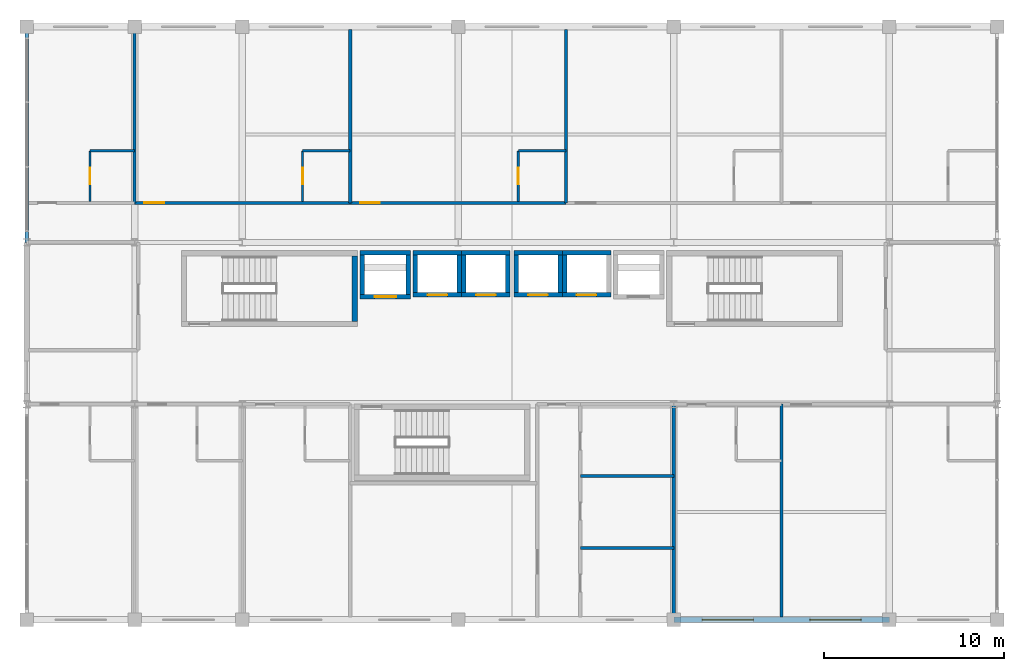
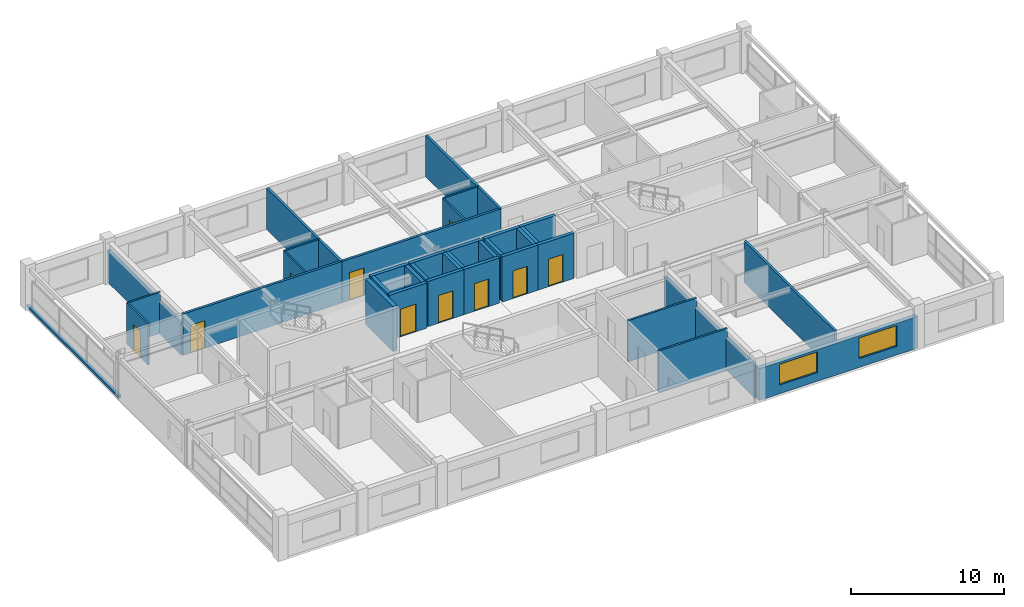
# One storey, part 17 of 20: 37 walls, 10 doors, 2 windows, 12 openings.
"""IFC4 building model written with IfcOpenShell, lengths in metres."""

from ifc_helpers import new_model, si_unit, direction, frame, frame_2d, origin, place, context, subcontext, project, spatial, rectangle, extrude, material, layer, layer_set, type_object, element, fill, save


model = new_model("IFC4")

# Units and contexts
model_context = context("Model", 3, precision=1e-05, world=origin(), true_north=direction((0.0, 1.0)))
body_context = subcontext(model_context, "Body", "Model", "MODEL_VIEW")
ifc_project = project(units=[si_unit("LENGTHUNIT", "METRE"), si_unit("AREAUNIT", "SQUARE_METRE"), si_unit("VOLUMEUNIT", "CUBIC_METRE"), si_unit("PLANEANGLEUNIT", "RADIAN"), si_unit("MASSUNIT", "GRAM", prefix="KILO")], contexts=[model_context])

# Site, building, storey
site_placement = place(None, origin())
site = spatial("IfcSite", under=ifc_project, at=site_placement, CompositionType="ELEMENT")
building_placement = place(site_placement, origin())
building = spatial("IfcBuilding", under=site, at=building_placement, Name="Kaldorvane Square Convention Centre", CompositionType="ELEMENT")
storey_placement = place(building_placement, frame((0.0, 0.0, 52.80000305175781)))
storey = spatial("IfcBuildingStorey", under=building, at=storey_placement, Name="L12", CompositionType="ELEMENT", Elevation=52.80000305175781)

# Wall, opening, door
ifc_material_1 = material(Name="Fire-Rated Gypsum Board on Acoustic Steel Studs", Category="steel")
ifc_layer_1 = layer(ifc_material_1, 0.125)
ifc_layer_set_1 = layer_set([ifc_layer_1], Name="Fire-Rated Gypsum Board on Acoustic Steel Studs")
wall_type_1 = type_object("IfcWallType", Name="WL-BATH-125", PredefinedType="PARTITIONING", material=ifc_layer_set_1)
wall_1_placement = place(storey_placement, frame((33.52000427246094, 107.28999328613281, 0.0), z_axis=(0.0, 0.0, 1.0), x_axis=(0.0, 1.0, 0.0)))
wall_1 = element("IfcWall", 1, at=wall_1_placement, inside=storey, type_object=wall_type_1, Name="En-Suite 1201 West Wall", PredefinedType="PARTITIONING", context=body_context, shape_type="SweptSolid", body=[
    extrude(rectangle(XDim=2.8100128173828125, YDim=0.125, at=frame_2d((1.404998779296875, 0.0))), origin(), (0.0, 0.0, 1.0), 3.2899932861328125),
])
opening_1_placement = place(wall_1_placement, frame((0.9499969482421875, 0.0, 0.0)))
opening_1 = element("IfcOpeningElement", 2, at=opening_1_placement, cuts=wall_1, Name="Opening ID-12", PredefinedType="OPENING", context=body_context, shape_type="SweptSolid", body=[
    extrude(rectangle(XDim=0.9199981689453125, YDim=2.100006103515625, at=frame_2d((0.459991455078125, 1.0500030517578125))), frame((0.0, 0.0774993896484375, 0.0), z_axis=(0.0, -1.0, 0.0), x_axis=(1.0, 0.0, 0.0)), (0.0, 0.0, 1.0), 0.154998779296875),
])
ifc_material_2 = material(Name="Architectural Solid-Core White Oak")
door_type_1 = type_object("IfcDoorType", Name="DR-BATH-0920X2100", OperationType="SINGLE_SWING_RIGHT", PredefinedType="DOOR", material=ifc_material_2)
door_1_placement = place(opening_1_placement, origin())
door_1 = element("IfcDoor", 3, at=door_1_placement, inside=storey, type_object=door_type_1, Name="En-Suite Bathroom 1201 Door", OperationType="SINGLE_SWING_RIGHT", OverallHeight=2.100006103515625, OverallWidth=0.9199981689453125, PredefinedType="DOOR", context=body_context, shape_type="SweptSolid", body=[
    extrude(rectangle(XDim=0.9199981689453125, YDim=2.100006103515625, at=frame_2d((0.459991455078125, 1.0500030517578125))), frame((0.0, 0.024993896484375, 0.0), z_axis=(0.0, -1.0, 0.0), x_axis=(1.0, 0.0, 0.0)), (0.0, 0.0, 1.0), 0.0500030517578125),
])
fill(opening_1, door_1)

# Wall
wall_2_placement = place(storey_placement, frame((33.52000427246094, 110.10000610351562, 0.0), z_axis=(0.0, 0.0, 1.0), x_axis=(1.0, 0.0, 0.0)))
element("IfcWall", 4, at=wall_2_placement, inside=storey, type_object=wall_type_1, Name="En-Suite 1201 North Wall", PredefinedType="PARTITIONING", context=body_context, shape_type="SweptSolid", body=[
    extrude(rectangle(XDim=2.4799957275390625, YDim=0.125, at=frame_2d((1.239990234375, 0.0))), origin(), (0.0, 0.0, 1.0), 3.2899932861328125),
])

# Wall, opening, door
wall_3_placement = place(storey_placement, frame((45.350006103515625, 107.28999328613281, 0.0), z_axis=(0.0, 0.0, 1.0), x_axis=(0.0, 1.0, 0.0)))
wall_3 = element("IfcWall", 5, at=wall_3_placement, inside=storey, type_object=wall_type_1, Name="En-Suite 1202 West Wall", PredefinedType="PARTITIONING", context=body_context, shape_type="SweptSolid", body=[
    extrude(rectangle(XDim=2.8100128173828125, YDim=0.125, at=frame_2d((1.404998779296875, 0.0))), origin(), (0.0, 0.0, 1.0), 3.2899932861328125),
])
opening_2_placement = place(wall_3_placement, frame((0.9499969482421875, 0.0, 0.0)))
opening_2 = element("IfcOpeningElement", 6, at=opening_2_placement, cuts=wall_3, Name="Opening ID-12", PredefinedType="OPENING", context=body_context, shape_type="SweptSolid", body=[
    extrude(rectangle(XDim=0.9199981689453125, YDim=2.100006103515625, at=frame_2d((0.459991455078125, 1.0500030517578125))), frame((0.0, 0.0774993896484375, 0.0), z_axis=(0.0, -1.0, 0.0), x_axis=(1.0, 0.0, 0.0)), (0.0, 0.0, 1.0), 0.154998779296875),
])
door_2_placement = place(opening_2_placement, origin())
door_2 = element("IfcDoor", 7, at=door_2_placement, inside=storey, type_object=door_type_1, Name="En-Suite Bathroom 1202 Door", OperationType="SINGLE_SWING_RIGHT", OverallHeight=2.100006103515625, OverallWidth=0.9199981689453125, PredefinedType="DOOR", context=body_context, shape_type="SweptSolid", body=[
    extrude(rectangle(XDim=0.9199981689453125, YDim=2.100006103515625, at=frame_2d((0.459991455078125, 1.0500030517578125))), frame((0.0, 0.024993896484375, 0.0), z_axis=(0.0, -1.0, 0.0), x_axis=(1.0, 0.0, 0.0)), (0.0, 0.0, 1.0), 0.0500030517578125),
])
fill(opening_2, door_2)

# Wall
wall_4_placement = place(storey_placement, frame((45.350006103515625, 110.10000610351562, 0.0), z_axis=(0.0, 0.0, 1.0), x_axis=(1.0, 0.0, 0.0)))
element("IfcWall", 8, at=wall_4_placement, inside=storey, type_object=wall_type_1, Name="En-Suite 1202 North Wall", PredefinedType="PARTITIONING", context=body_context, shape_type="SweptSolid", body=[
    extrude(rectangle(XDim=2.649993896484375, YDim=0.125, at=frame_2d((1.3249969482421875, 0.0))), origin(), (0.0, 0.0, 1.0), 3.2899932861328125),
])

# Wall, opening, door
wall_5_placement = place(storey_placement, frame((57.350006103515625, 107.28999328613281, 0.0), z_axis=(0.0, 0.0, 1.0), x_axis=(0.0, 1.0, 0.0)))
wall_5 = element("IfcWall", 9, at=wall_5_placement, inside=storey, type_object=wall_type_1, Name="En-Suite 1203 West Wall", PredefinedType="PARTITIONING", context=body_context, shape_type="SweptSolid", body=[
    extrude(rectangle(XDim=2.8100128173828125, YDim=0.125, at=frame_2d((1.404998779296875, 0.0))), origin(), (0.0, 0.0, 1.0), 3.2899932861328125),
])
opening_3_placement = place(wall_5_placement, frame((0.9499969482421875, 0.0, 0.0)))
opening_3 = element("IfcOpeningElement", 10, at=opening_3_placement, cuts=wall_5, Name="Opening ID-12", PredefinedType="OPENING", context=body_context, shape_type="SweptSolid", body=[
    extrude(rectangle(XDim=0.9199981689453125, YDim=2.100006103515625, at=frame_2d((0.459991455078125, 1.0500030517578125))), frame((0.0, 0.0774993896484375, 0.0), z_axis=(0.0, -1.0, 0.0), x_axis=(1.0, 0.0, 0.0)), (0.0, 0.0, 1.0), 0.154998779296875),
])
door_3_placement = place(opening_3_placement, origin())
door_3 = element("IfcDoor", 11, at=door_3_placement, inside=storey, type_object=door_type_1, Name="En-Suite Bathroom 1203 Door", OperationType="SINGLE_SWING_RIGHT", OverallHeight=2.100006103515625, OverallWidth=0.9199981689453125, PredefinedType="DOOR", context=body_context, shape_type="SweptSolid", body=[
    extrude(rectangle(XDim=0.9199981689453125, YDim=2.100006103515625, at=frame_2d((0.459991455078125, 1.0500030517578125))), frame((0.0, 0.024993896484375, 0.0), z_axis=(0.0, -1.0, 0.0), x_axis=(1.0, 0.0, 0.0)), (0.0, 0.0, 1.0), 0.0500030517578125),
])
fill(opening_3, door_3)

# Walls
wall_6_placement = place(storey_placement, frame((57.350006103515625, 110.10000610351562, 0.0), z_axis=(0.0, 0.0, 1.0), x_axis=(1.0, 0.0, 0.0)))
element("IfcWall", 12, at=wall_6_placement, inside=storey, type_object=wall_type_1, Name="En-Suite 1203 North Wall", PredefinedType="PARTITIONING", context=body_context, shape_type="SweptSolid", body=[
    extrude(rectangle(XDim=2.649993896484375, YDim=0.125, at=frame_2d((1.3249969482421875, 0.0))), origin(), (0.0, 0.0, 1.0), 3.2899932861328125),
])
ifc_layer_2 = layer(ifc_material_1, 0.1999969482421875)
ifc_layer_set_2 = layer_set([ifc_layer_2], Name="Fire-Rated Gypsum Board on Acoustic Steel Studs")
wall_type_2 = type_object("IfcWallType", Name="WL-CORR-200", PredefinedType="PARTITIONING", material=ifc_layer_set_2)
wall_7_placement = place(storey_placement, frame((66.0, 84.16000366210938, 0.0), z_axis=(0.0, 0.0, 1.0), x_axis=(0.0, 1.0, 0.0)))
element("IfcWall", 13, at=wall_7_placement, inside=storey, type_object=wall_type_2, Name="Restroom East Wall (L12)", PredefinedType="PARTITIONING", context=body_context, shape_type="SweptSolid", body=[
    extrude(rectangle(XDim=11.839996337890625, YDim=0.1999969482421875, at=frame_2d((5.9199981689453125, 0.0))), origin(), (0.0, 0.0, 1.0), 2.589996337890625),
])

# Wall, openings, windows
ifc_material_3 = material(Name="Concrete f'c = 35 MPa (Normalweight)", Category="concrete")
ifc_layer_3 = layer(ifc_material_3, 0.32000732421875)
ifc_layer_set_3 = layer_set([ifc_layer_3], Name="Concrete f'c = 35 MPa (Normalweight)")
wall_type_3 = type_object("IfcWallType", Name="WL-EXT-320", PredefinedType="STANDARD", material=ifc_layer_set_3)
wall_8_placement = place(storey_placement, frame((66.0, 84.0, 0.0), z_axis=(0.0, 0.0, 1.0), x_axis=(1.0, 0.0, 0.0)))
wall_8 = element("IfcWall", 14, at=wall_8_placement, inside=storey, type_object=wall_type_3, Name="Hotel S Brutalist Facade Wall (L12)", PredefinedType="STANDARD", context=body_context, shape_type="SweptSolid", body=[
    extrude(rectangle(XDim=12.0, YDim=0.32000732421875, at=frame_2d((6.0, 0.0))), origin(), (0.0, 0.0, 1.0), 2.5359954833984375),
])
opening_4_placement = place(wall_8_placement, frame((1.5749969482421875, 0.0, 0.6999969482421875)))
opening_4 = element("IfcOpeningElement", 15, at=opening_4_placement, cuts=wall_8, Name="Opening W-04", PredefinedType="OPENING", context=body_context, shape_type="SweptSolid", body=[
    extrude(rectangle(XDim=2.850006103515625, YDim=1.649993896484375, at=frame_2d((1.4250030517578125, 0.8249969482421875))), frame((0.0, 0.1750030517578125, 0.0), z_axis=(0.0, -1.0, 0.0), x_axis=(1.0, 0.0, 0.0)), (0.0, 0.0, 1.0), 0.350006103515625),
])
opening_5_placement = place(wall_8_placement, frame((7.5749969482421875, 0.0, 0.6999969482421875)))
opening_5 = element("IfcOpeningElement", 16, at=opening_5_placement, cuts=wall_8, Name="Opening W-04", PredefinedType="OPENING", context=body_context, shape_type="SweptSolid", body=[
    extrude(rectangle(XDim=2.850006103515625, YDim=1.649993896484375, at=frame_2d((1.4250030517578125, 0.8249969482421875))), frame((0.0, 0.1750030517578125, 0.0), z_axis=(0.0, -1.0, 0.0), x_axis=(1.0, 0.0, 0.0)), (0.0, 0.0, 1.0), 0.350006103515625),
])
ifc_material_4 = material(Name="Anodized Aluminum and Low-E Insulated Glazing", Category="aluminium")
window_type = type_object("IfcWindowType", Name="WN-HTL-2850X1650", PartitioningType="TRIPLE_PANEL_VERTICAL", PredefinedType="WINDOW", material=ifc_material_4)
window_1_placement = place(opening_4_placement, origin())
window_1 = element("IfcWindow", 17, at=window_1_placement, inside=storey, type_object=window_type, Name="Hotel S Window (L12)", OverallHeight=1.649993896484375, OverallWidth=2.850006103515625, PartitioningType="TRIPLE_PANEL_VERTICAL", PredefinedType="WINDOW", context=body_context, shape_type="SweptSolid", body=[
    extrude(rectangle(XDim=2.850006103515625, YDim=1.649993896484375, at=frame_2d((1.4250030517578125, 0.8249969482421875))), frame((0.0, 0.029998779296875, 0.0), z_axis=(0.0, -1.0, 0.0), x_axis=(1.0, 0.0, 0.0)), (0.0, 0.0, 1.0), 0.05999755859375),
])
fill(opening_4, window_1)
window_2_placement = place(opening_5_placement, origin())
window_2 = element("IfcWindow", 18, at=window_2_placement, inside=storey, type_object=window_type, Name="Hotel S Window (L12)", OverallHeight=1.649993896484375, OverallWidth=2.850006103515625, PartitioningType="TRIPLE_PANEL_VERTICAL", PredefinedType="WINDOW", context=body_context, shape_type="SweptSolid", body=[
    extrude(rectangle(XDim=2.850006103515625, YDim=1.649993896484375, at=frame_2d((1.4250030517578125, 0.8249969482421875))), frame((0.0, 0.029998779296875, 0.0), z_axis=(0.0, -1.0, 0.0), x_axis=(1.0, 0.0, 0.0)), (0.0, 0.0, 1.0), 0.05999755859375),
])
fill(opening_5, window_2)

# Walls
ifc_layer_4 = layer(ifc_material_3, 0.220001220703125)
ifc_layer_set_4 = layer_set([ifc_layer_4], Name="Concrete f'c = 35 MPa (Normalweight)")
wall_type_4 = type_object("IfcWallType", Name="WL-PAR-220", PredefinedType="PARAPET", material=ifc_layer_set_4)
wall_9_placement = place(storey_placement, frame((30.0, 117.0, 0.0), z_axis=(0.0, 0.0, 1.0), x_axis=(0.0, -1.0, 0.0)))
element("IfcWall", 19, at=wall_9_placement, inside=storey, type_object=wall_type_4, Name="Hotel End Curtain-Wall Sill (L12)", PredefinedType="PARAPET", context=body_context, shape_type="SweptSolid", body=[
    extrude(rectangle(XDim=12.0, YDim=0.220001220703125, at=frame_2d((6.0, 0.0))), origin(), (0.0, 0.0, 1.0), 0.1999969482421875),
])
ifc_layer_5 = layer(ifc_material_1, 0.149993896484375)
ifc_layer_set_5 = layer_set([ifc_layer_5], Name="Fire-Rated Gypsum Board on Acoustic Steel Studs")
wall_type_5 = type_object("IfcWallType", Name="WL-PART-150", PredefinedType="PARTITIONING", material=ifc_layer_set_5)
for number, where, z_axis, x_axis, name in (
    (20, (60.80000305175781, 88.0, 0.0), (0.0, 0.0, 1.0), (1.0, 0.0, 0.0), "Restroom Partition 1 (L12)"),
    (21, (60.80000305175781, 92.0, 0.0), (0.0, 0.0, 1.0), (1.0, 0.0, 0.0), "Restroom Partition 2 (L12)"),
):
    element("IfcWall", number, at=place(storey_placement, frame(where, z_axis=z_axis, x_axis=x_axis)), inside=storey, type_object=wall_type_5, Name=name, PredefinedType="PARTITIONING", context=body_context, shape_type="SweptSolid", body=[
        extrude(rectangle(XDim=5.1999969482421875, YDim=0.149993896484375, at=frame_2d((2.600006103515625, 0.0))), origin(), (0.0, 0.0, 1.0), 3.2899932861328125),
    ])
ifc_material_5 = material(Name="Concrete f'c = 55 MPa (Normalweight)", Category="concrete")
ifc_layer_6 = layer(ifc_material_5, 0.3000030517578125)
ifc_layer_set_6 = layer_set([ifc_layer_6], Name="Concrete f'c = 55 MPa (Normalweight)")
wall_type_6 = type_object("IfcWallType", Name="WL-SHAFT-300", PredefinedType="SHEAR", material=ifc_layer_set_6)
wall_10_placement = place(storey_placement, frame((48.25, 100.61000061035156, 0.0), z_axis=(0.0, 0.0, 1.0), x_axis=(0.0, 1.0, 0.0)))
element("IfcWall", 22, at=wall_10_placement, inside=storey, type_object=wall_type_6, Name="Core Enclosure Wall stair:ST-T1-E (L12)", PredefinedType="SHEAR", context=body_context, shape_type="SweptSolid", body=[
    extrude(rectangle(XDim=3.6399993896484375, YDim=0.3000030517578125, at=frame_2d((1.82000732421875, 0.0))), origin(), (0.0, 0.0, 1.0), 3.5999908447265625),
])

# Wall, opening, door
wall_11_placement = place(storey_placement, frame((48.55000305175781, 101.97500610351562, 0.0), z_axis=(0.0, 0.0, 1.0), x_axis=(1.0, 0.0, 0.0)))
wall_11 = element("IfcWall", 23, at=wall_11_placement, inside=storey, type_object=wall_type_6, Name="Core Enclosure Wall lift:FSAE-01-S (L12)", PredefinedType="SHEAR", context=body_context, shape_type="SweptSolid", body=[
    extrude(rectangle(XDim=2.8000030517578125, YDim=0.25, at=frame_2d((1.399993896484375, 0.0))), origin(), (0.0, 0.0, 1.0), 3.5999908447265625),
])
opening_6_placement = place(wall_11_placement, frame((0.8000030517578125, 0.0, 0.0)))
opening_6 = element("IfcOpeningElement", 24, at=opening_6_placement, cuts=wall_11, Name="Opening LD-02", PredefinedType="OPENING", context=body_context, shape_type="SweptSolid", body=[
    extrude(rectangle(XDim=1.1999969482421875, YDim=2.1999969482421875, at=frame_2d((0.600006103515625, 1.100006103515625))), frame((0.0, 0.1399993896484375, 0.0), z_axis=(0.0, -1.0, 0.0), x_axis=(1.0, 0.0, 0.0)), (0.0, 0.0, 1.0), 0.279998779296875),
])
ifc_material_6 = material(Name="Stainless Steel Elevator Door Assembly", Category="steel")
door_type_2 = type_object("IfcDoorType", Name="DR-LIFT-1200", OperationType="DOUBLE_DOOR_SLIDING", PredefinedType="DOOR", material=ifc_material_6)
door_4_placement = place(opening_6_placement, origin())
door_4 = element("IfcDoor", 25, at=door_4_placement, inside=storey, type_object=door_type_2, Name="Elevator Landing Door FSAE-01 (L12)", OperationType="DOUBLE_DOOR_SLIDING", OverallHeight=2.1999969482421875, OverallWidth=1.1999969482421875, PredefinedType="DOOR", context=body_context, shape_type="SweptSolid", body=[
    extrude(rectangle(XDim=1.1999969482421875, YDim=2.1999969482421875, at=frame_2d((0.600006103515625, 1.100006103515625))), frame((0.0, 0.024993896484375, 0.0), z_axis=(0.0, -1.0, 0.0), x_axis=(1.0, 0.0, 0.0)), (0.0, 0.0, 1.0), 0.0500030517578125),
])
fill(opening_6, door_4)

# Walls
wall_12_placement = place(storey_placement, frame((51.350006103515625, 104.42500305175781, 0.0), z_axis=(0.0, 0.0, 1.0), x_axis=(-1.0, 0.0, 0.0)))
element("IfcWall", 26, at=wall_12_placement, inside=storey, type_object=wall_type_6, Name="Core Enclosure Wall lift:FSAE-01-N (L12)", PredefinedType="SHEAR", context=body_context, shape_type="SweptSolid", body=[
    extrude(rectangle(XDim=2.8000030517578125, YDim=0.25, at=frame_2d((1.399993896484375, 0.0))), origin(), (0.0, 0.0, 1.0), 3.5999908447265625),
])
for number, where, z_axis, x_axis, name in (
    (27, (48.67500305175781, 104.30000305175781, 0.0), (0.0, 0.0, 1.0), (0.0, -1.0, 0.0), "Core Enclosure Wall lift:FSAE-01-W (L12)"),
    (28, (51.225006103515625, 102.10000610351562, 0.0), (0.0, 0.0, 1.0), (0.0, 1.0, 0.0), "Core Enclosure Wall lift:FSAE-01-E (L12)"),
):
    element("IfcWall", number, at=place(storey_placement, frame(where, z_axis=z_axis, x_axis=x_axis)), inside=storey, type_object=wall_type_6, Name=name, PredefinedType="SHEAR", context=body_context, shape_type="SweptSolid", body=[
        extrude(rectangle(XDim=2.1999969482421875, YDim=0.25, at=frame_2d((1.100006103515625, 0.0))), origin(), (0.0, 0.0, 1.0), 3.5999908447265625),
    ])

# Wall, opening, door
wall_13_placement = place(storey_placement, frame((51.5, 102.07499694824219, 0.0), z_axis=(0.0, 0.0, 1.0), x_axis=(1.0, 0.0, 0.0)))
wall_13 = element("IfcWall", 29, at=wall_13_placement, inside=storey, type_object=wall_type_6, Name="Core Enclosure Wall lift:EL-P1-S (L12)", PredefinedType="SHEAR", context=body_context, shape_type="SweptSolid", body=[
    extrude(rectangle(XDim=2.6999969482421875, YDim=0.25, at=frame_2d((1.350006103515625, 0.0))), origin(), (0.0, 0.0, 1.0), 3.5999908447265625),
])
opening_7_placement = place(wall_13_placement, frame((0.8000030517578125, 0.0, 0.0)))
opening_7 = element("IfcOpeningElement", 30, at=opening_7_placement, cuts=wall_13, Name="Opening LD-01", PredefinedType="OPENING", context=body_context, shape_type="SweptSolid", body=[
    extrude(rectangle(XDim=1.100006103515625, YDim=2.1999969482421875, at=frame_2d((0.5500030517578125, 1.100006103515625))), frame((0.0, 0.1399993896484375, 0.0), z_axis=(0.0, -1.0, 0.0), x_axis=(1.0, 0.0, 0.0)), (0.0, 0.0, 1.0), 0.279998779296875),
])
door_type_3 = type_object("IfcDoorType", Name="DR-LIFT-1100", OperationType="DOUBLE_DOOR_SLIDING", PredefinedType="DOOR", material=ifc_material_6)
door_5_placement = place(opening_7_placement, origin())
door_5 = element("IfcDoor", 31, at=door_5_placement, inside=storey, type_object=door_type_3, Name="Elevator Landing Door EL-P1 (L12)", OperationType="DOUBLE_DOOR_SLIDING", OverallHeight=2.1999969482421875, OverallWidth=1.100006103515625, PredefinedType="DOOR", context=body_context, shape_type="SweptSolid", body=[
    extrude(rectangle(XDim=1.100006103515625, YDim=2.1999969482421875, at=frame_2d((0.5500030517578125, 1.100006103515625))), frame((0.0, 0.024993896484375, 0.0), z_axis=(0.0, -1.0, 0.0), x_axis=(1.0, 0.0, 0.0)), (0.0, 0.0, 1.0), 0.0500030517578125),
])
fill(opening_7, door_5)

# Walls
wall_14_placement = place(storey_placement, frame((54.19999694824219, 104.42500305175781, 0.0), z_axis=(0.0, 0.0, 1.0), x_axis=(-1.0, 0.0, 0.0)))
element("IfcWall", 32, at=wall_14_placement, inside=storey, type_object=wall_type_6, Name="Core Enclosure Wall lift:EL-P1-N (L12)", PredefinedType="SHEAR", context=body_context, shape_type="SweptSolid", body=[
    extrude(rectangle(XDim=2.6999969482421875, YDim=0.25, at=frame_2d((1.350006103515625, 0.0))), origin(), (0.0, 0.0, 1.0), 3.5999908447265625),
])
for number, where, z_axis, x_axis, name in (
    (33, (51.625, 104.30000305175781, 0.0), (0.0, 0.0, 1.0), (0.0, -1.0, 0.0), "Core Enclosure Wall lift:EL-P1-W (L12)"),
    (34, (54.07499694824219, 102.19999694824219, 0.0), (0.0, 0.0, 1.0), (0.0, 1.0, 0.0), "Core Enclosure Wall lift:EL-P1-E (L12)"),
):
    element("IfcWall", number, at=place(storey_placement, frame(where, z_axis=z_axis, x_axis=x_axis)), inside=storey, type_object=wall_type_6, Name=name, PredefinedType="SHEAR", context=body_context, shape_type="SweptSolid", body=[
        extrude(rectangle(XDim=2.100006103515625, YDim=0.25, at=frame_2d((1.0500030517578125, 0.0))), origin(), (0.0, 0.0, 1.0), 3.5999908447265625),
    ])

# Wall, opening, door
wall_15_placement = place(storey_placement, frame((54.19999694824219, 102.07499694824219, 0.0), z_axis=(0.0, 0.0, 1.0), x_axis=(1.0, 0.0, 0.0)))
wall_15 = element("IfcWall", 35, at=wall_15_placement, inside=storey, type_object=wall_type_6, Name="Core Enclosure Wall lift:EL-P2-S (L12)", PredefinedType="SHEAR", context=body_context, shape_type="SweptSolid", body=[
    extrude(rectangle(XDim=2.6999969482421875, YDim=0.25, at=frame_2d((1.350006103515625, 0.0))), origin(), (0.0, 0.0, 1.0), 3.5999908447265625),
])
opening_8_placement = place(wall_15_placement, frame((0.8000030517578125, 0.0, 0.0)))
opening_8 = element("IfcOpeningElement", 36, at=opening_8_placement, cuts=wall_15, Name="Opening LD-01", PredefinedType="OPENING", context=body_context, shape_type="SweptSolid", body=[
    extrude(rectangle(XDim=1.100006103515625, YDim=2.1999969482421875, at=frame_2d((0.5500030517578125, 1.100006103515625))), frame((0.0, 0.1399993896484375, 0.0), z_axis=(0.0, -1.0, 0.0), x_axis=(1.0, 0.0, 0.0)), (0.0, 0.0, 1.0), 0.279998779296875),
])
door_6_placement = place(opening_8_placement, origin())
door_6 = element("IfcDoor", 37, at=door_6_placement, inside=storey, type_object=door_type_3, Name="Elevator Landing Door EL-P2 (L12)", OperationType="DOUBLE_DOOR_SLIDING", OverallHeight=2.1999969482421875, OverallWidth=1.100006103515625, PredefinedType="DOOR", context=body_context, shape_type="SweptSolid", body=[
    extrude(rectangle(XDim=1.100006103515625, YDim=2.1999969482421875, at=frame_2d((0.5500030517578125, 1.100006103515625))), frame((0.0, 0.024993896484375, 0.0), z_axis=(0.0, -1.0, 0.0), x_axis=(1.0, 0.0, 0.0)), (0.0, 0.0, 1.0), 0.0500030517578125),
])
fill(opening_8, door_6)

# Walls
wall_16_placement = place(storey_placement, frame((56.899993896484375, 104.42500305175781, 0.0), z_axis=(0.0, 0.0, 1.0), x_axis=(-1.0, 0.0, 0.0)))
element("IfcWall", 38, at=wall_16_placement, inside=storey, type_object=wall_type_6, Name="Core Enclosure Wall lift:EL-P2-N (L12)", PredefinedType="SHEAR", context=body_context, shape_type="SweptSolid", body=[
    extrude(rectangle(XDim=2.6999969482421875, YDim=0.25, at=frame_2d((1.350006103515625, 0.0))), origin(), (0.0, 0.0, 1.0), 3.5999908447265625),
])
for number, where, z_axis, x_axis, name in (
    (39, (54.32499694824219, 104.30000305175781, 0.0), (0.0, 0.0, 1.0), (0.0, -1.0, 0.0), "Core Enclosure Wall lift:EL-P2-W (L12)"),
    (40, (56.774993896484375, 102.19999694824219, 0.0), (0.0, 0.0, 1.0), (0.0, 1.0, 0.0), "Core Enclosure Wall lift:EL-P2-E (L12)"),
):
    element("IfcWall", number, at=place(storey_placement, frame(where, z_axis=z_axis, x_axis=x_axis)), inside=storey, type_object=wall_type_6, Name=name, PredefinedType="SHEAR", context=body_context, shape_type="SweptSolid", body=[
        extrude(rectangle(XDim=2.100006103515625, YDim=0.25, at=frame_2d((1.0500030517578125, 0.0))), origin(), (0.0, 0.0, 1.0), 3.5999908447265625),
    ])

# Wall, opening, door
wall_17_placement = place(storey_placement, frame((57.100006103515625, 102.07499694824219, 0.0), z_axis=(0.0, 0.0, 1.0), x_axis=(1.0, 0.0, 0.0)))
wall_17 = element("IfcWall", 41, at=wall_17_placement, inside=storey, type_object=wall_type_6, Name="Core Enclosure Wall lift:EL-P3-S (L12)", PredefinedType="SHEAR", context=body_context, shape_type="SweptSolid", body=[
    extrude(rectangle(XDim=2.6999969482421875, YDim=0.25, at=frame_2d((1.350006103515625, 0.0))), origin(), (0.0, 0.0, 1.0), 3.5999908447265625),
])
opening_9_placement = place(wall_17_placement, frame((0.8000030517578125, 0.0, 0.0)))
opening_9 = element("IfcOpeningElement", 42, at=opening_9_placement, cuts=wall_17, Name="Opening LD-01", PredefinedType="OPENING", context=body_context, shape_type="SweptSolid", body=[
    extrude(rectangle(XDim=1.100006103515625, YDim=2.1999969482421875, at=frame_2d((0.5500030517578125, 1.100006103515625))), frame((0.0, 0.1399993896484375, 0.0), z_axis=(0.0, -1.0, 0.0), x_axis=(1.0, 0.0, 0.0)), (0.0, 0.0, 1.0), 0.279998779296875),
])
door_7_placement = place(opening_9_placement, origin())
door_7 = element("IfcDoor", 43, at=door_7_placement, inside=storey, type_object=door_type_3, Name="Elevator Landing Door EL-P3 (L12)", OperationType="DOUBLE_DOOR_SLIDING", OverallHeight=2.1999969482421875, OverallWidth=1.100006103515625, PredefinedType="DOOR", context=body_context, shape_type="SweptSolid", body=[
    extrude(rectangle(XDim=1.100006103515625, YDim=2.1999969482421875, at=frame_2d((0.5500030517578125, 1.100006103515625))), frame((0.0, 0.024993896484375, 0.0), z_axis=(0.0, -1.0, 0.0), x_axis=(1.0, 0.0, 0.0)), (0.0, 0.0, 1.0), 0.0500030517578125),
])
fill(opening_9, door_7)

# Walls
wall_18_placement = place(storey_placement, frame((59.80000305175781, 104.42500305175781, 0.0), z_axis=(0.0, 0.0, 1.0), x_axis=(-1.0, 0.0, 0.0)))
element("IfcWall", 44, at=wall_18_placement, inside=storey, type_object=wall_type_6, Name="Core Enclosure Wall lift:EL-P3-N (L12)", PredefinedType="SHEAR", context=body_context, shape_type="SweptSolid", body=[
    extrude(rectangle(XDim=2.6999969482421875, YDim=0.25, at=frame_2d((1.350006103515625, 0.0))), origin(), (0.0, 0.0, 1.0), 3.5999908447265625),
])
for number, where, z_axis, x_axis, name in (
    (45, (57.225006103515625, 104.30000305175781, 0.0), (0.0, 0.0, 1.0), (0.0, -1.0, 0.0), "Core Enclosure Wall lift:EL-P3-W (L12)"),
    (46, (59.67500305175781, 102.19999694824219, 0.0), (0.0, 0.0, 1.0), (0.0, 1.0, 0.0), "Core Enclosure Wall lift:EL-P3-E (L12)"),
):
    element("IfcWall", number, at=place(storey_placement, frame(where, z_axis=z_axis, x_axis=x_axis)), inside=storey, type_object=wall_type_6, Name=name, PredefinedType="SHEAR", context=body_context, shape_type="SweptSolid", body=[
        extrude(rectangle(XDim=2.100006103515625, YDim=0.25, at=frame_2d((1.0500030517578125, 0.0))), origin(), (0.0, 0.0, 1.0), 3.5999908447265625),
    ])

# Wall, opening, door
wall_19_placement = place(storey_placement, frame((59.80000305175781, 102.07499694824219, 0.0), z_axis=(0.0, 0.0, 1.0), x_axis=(1.0, 0.0, 0.0)))
wall_19 = element("IfcWall", 47, at=wall_19_placement, inside=storey, type_object=wall_type_6, Name="Core Enclosure Wall lift:EL-P4-S (L12)", PredefinedType="SHEAR", context=body_context, shape_type="SweptSolid", body=[
    extrude(rectangle(XDim=2.6999969482421875, YDim=0.25, at=frame_2d((1.350006103515625, 0.0))), origin(), (0.0, 0.0, 1.0), 3.5999908447265625),
])
opening_10_placement = place(wall_19_placement, frame((0.8000030517578125, 0.0, 0.0)))
opening_10 = element("IfcOpeningElement", 48, at=opening_10_placement, cuts=wall_19, Name="Opening LD-01", PredefinedType="OPENING", context=body_context, shape_type="SweptSolid", body=[
    extrude(rectangle(XDim=1.100006103515625, YDim=2.1999969482421875, at=frame_2d((0.5500030517578125, 1.100006103515625))), frame((0.0, 0.1399993896484375, 0.0), z_axis=(0.0, -1.0, 0.0), x_axis=(1.0, 0.0, 0.0)), (0.0, 0.0, 1.0), 0.279998779296875),
])
door_8_placement = place(opening_10_placement, origin())
door_8 = element("IfcDoor", 49, at=door_8_placement, inside=storey, type_object=door_type_3, Name="Elevator Landing Door EL-P4 (L12)", OperationType="DOUBLE_DOOR_SLIDING", OverallHeight=2.1999969482421875, OverallWidth=1.100006103515625, PredefinedType="DOOR", context=body_context, shape_type="SweptSolid", body=[
    extrude(rectangle(XDim=1.100006103515625, YDim=2.1999969482421875, at=frame_2d((0.5500030517578125, 1.100006103515625))), frame((0.0, 0.024993896484375, 0.0), z_axis=(0.0, -1.0, 0.0), x_axis=(1.0, 0.0, 0.0)), (0.0, 0.0, 1.0), 0.0500030517578125),
])
fill(opening_10, door_8)

# Walls
wall_20_placement = place(storey_placement, frame((62.5, 104.42500305175781, 0.0), z_axis=(0.0, 0.0, 1.0), x_axis=(-1.0, 0.0, 0.0)))
element("IfcWall", 50, at=wall_20_placement, inside=storey, type_object=wall_type_6, Name="Core Enclosure Wall lift:EL-P4-N (L12)", PredefinedType="SHEAR", context=body_context, shape_type="SweptSolid", body=[
    extrude(rectangle(XDim=2.6999969482421875, YDim=0.25, at=frame_2d((1.350006103515625, 0.0))), origin(), (0.0, 0.0, 1.0), 3.5999908447265625),
])
wall_21_placement = place(storey_placement, frame((59.92500305175781, 104.30000305175781, 0.0), z_axis=(0.0, 0.0, 1.0), x_axis=(0.0, -1.0, 0.0)))
element("IfcWall", 51, at=wall_21_placement, inside=storey, type_object=wall_type_6, Name="Core Enclosure Wall lift:EL-P4-W (L12)", PredefinedType="SHEAR", context=body_context, shape_type="SweptSolid", body=[
    extrude(rectangle(XDim=2.100006103515625, YDim=0.25, at=frame_2d((1.0500030517578125, 0.0))), origin(), (0.0, 0.0, 1.0), 3.5999908447265625),
])
ifc_layer_7 = layer(ifc_material_1, 0.17999267578125)
ifc_layer_set_7 = layer_set([ifc_layer_7], Name="Fire-Rated Gypsum Board on Acoustic Steel Studs")
wall_type_7 = type_object("IfcWallType", Name="WL-UNIT-180", PredefinedType="PARTITIONING", material=ifc_layer_set_7)
wall_22_placement = place(storey_placement, frame((36.0, 107.19999694824219, 0.0), z_axis=(0.0, 0.0, 1.0), x_axis=(0.0, 1.0, 0.0)))
element("IfcWall", 52, at=wall_22_placement, inside=storey, type_object=wall_type_7, Name="Guestroom Demising Wall 1201", PredefinedType="PARTITIONING", context=body_context, shape_type="SweptSolid", body=[
    extrude(rectangle(XDim=9.639999389648438, YDim=0.17999267578125, at=frame_2d((4.82000732421875, 0.0))), origin(), (0.0, 0.0, 1.0), 2.589996337890625),
])

# Wall, opening, door
wall_23_placement = place(storey_placement, frame((36.0, 107.19999694824219, 0.0), z_axis=(0.0, 0.0, 1.0), x_axis=(1.0, 0.0, 0.0)))
wall_23 = element("IfcWall", 53, at=wall_23_placement, inside=storey, type_object=wall_type_7, Name="Presidential Suite 1202 Corridor Wall", PredefinedType="PARTITIONING", context=body_context, shape_type="SweptSolid", body=[
    extrude(rectangle(XDim=12.0, YDim=0.17999267578125, at=frame_2d((6.0, 0.0))), origin(), (0.0, 0.0, 1.0), 3.2899932861328125),
])
opening_11_placement = place(wall_23_placement, frame((0.5500030517578125, 0.0, 0.0)))
opening_11 = element("IfcOpeningElement", 54, at=opening_11_placement, cuts=wall_23, Name="Opening ID-11", PredefinedType="OPENING", context=body_context, shape_type="SweptSolid", body=[
    extrude(rectangle(XDim=1.100006103515625, YDim=2.1999969482421875, at=frame_2d((0.5500030517578125, 1.100006103515625))), frame((0.0, 0.1049957275390625, 0.0), z_axis=(0.0, -1.0, 0.0), x_axis=(1.0, 0.0, 0.0)), (0.0, 0.0, 1.0), 0.209991455078125),
])
door_type_4 = type_object("IfcDoorType", Name="DR-SUITE-1100X2200", OperationType="SINGLE_SWING_LEFT", PredefinedType="DOOR", material=ifc_material_2)
door_9_placement = place(opening_11_placement, origin())
door_9 = element("IfcDoor", 55, at=door_9_placement, inside=storey, type_object=door_type_4, Name="Presidential Suite 1202 Entry Door", OperationType="SINGLE_SWING_LEFT", OverallHeight=2.1999969482421875, OverallWidth=1.100006103515625, PredefinedType="DOOR", context=body_context, shape_type="SweptSolid", body=[
    extrude(rectangle(XDim=1.100006103515625, YDim=2.1999969482421875, at=frame_2d((0.5500030517578125, 1.100006103515625))), frame((0.0, 0.024993896484375, 0.0), z_axis=(0.0, -1.0, 0.0), x_axis=(1.0, 0.0, 0.0)), (0.0, 0.0, 1.0), 0.0500030517578125),
])
fill(opening_11, door_9)

# Wall
wall_24_placement = place(storey_placement, frame((48.0, 107.19999694824219, 0.0), z_axis=(0.0, 0.0, 1.0), x_axis=(0.0, 1.0, 0.0)))
element("IfcWall", 56, at=wall_24_placement, inside=storey, type_object=wall_type_7, Name="Guestroom Demising Wall 1202", PredefinedType="PARTITIONING", context=body_context, shape_type="SweptSolid", body=[
    extrude(rectangle(XDim=9.639999389648438, YDim=0.17999267578125, at=frame_2d((4.82000732421875, 0.0))), origin(), (0.0, 0.0, 1.0), 3.2899932861328125),
])

# Wall, opening, door
wall_25_placement = place(storey_placement, frame((48.0, 107.19999694824219, 0.0), z_axis=(0.0, 0.0, 1.0), x_axis=(1.0, 0.0, 0.0)))
wall_25 = element("IfcWall", 57, at=wall_25_placement, inside=storey, type_object=wall_type_7, Name="Presidential Suite 1203 Corridor Wall", PredefinedType="PARTITIONING", context=body_context, shape_type="SweptSolid", body=[
    extrude(rectangle(XDim=12.0, YDim=0.17999267578125, at=frame_2d((6.0, 0.0))), origin(), (0.0, 0.0, 1.0), 3.2899932861328125),
])
opening_12_placement = place(wall_25_placement, frame((0.5500030517578125, 0.0, 0.0)))
opening_12 = element("IfcOpeningElement", 58, at=opening_12_placement, cuts=wall_25, Name="Opening ID-11", PredefinedType="OPENING", context=body_context, shape_type="SweptSolid", body=[
    extrude(rectangle(XDim=1.100006103515625, YDim=2.1999969482421875, at=frame_2d((0.5500030517578125, 1.100006103515625))), frame((0.0, 0.1049957275390625, 0.0), z_axis=(0.0, -1.0, 0.0), x_axis=(1.0, 0.0, 0.0)), (0.0, 0.0, 1.0), 0.209991455078125),
])
door_10_placement = place(opening_12_placement, origin())
door_10 = element("IfcDoor", 59, at=door_10_placement, inside=storey, type_object=door_type_4, Name="Presidential Suite 1203 Entry Door", OperationType="SINGLE_SWING_LEFT", OverallHeight=2.1999969482421875, OverallWidth=1.100006103515625, PredefinedType="DOOR", context=body_context, shape_type="SweptSolid", body=[
    extrude(rectangle(XDim=1.100006103515625, YDim=2.1999969482421875, at=frame_2d((0.5500030517578125, 1.100006103515625))), frame((0.0, 0.024993896484375, 0.0), z_axis=(0.0, -1.0, 0.0), x_axis=(1.0, 0.0, 0.0)), (0.0, 0.0, 1.0), 0.0500030517578125),
])
fill(opening_12, door_10)

# Walls
wall_26_placement = place(storey_placement, frame((60.0, 107.19999694824219, 0.0), z_axis=(0.0, 0.0, 1.0), x_axis=(0.0, 1.0, 0.0)))
element("IfcWall", 60, at=wall_26_placement, inside=storey, type_object=wall_type_7, Name="Guestroom Demising Wall 1203", PredefinedType="PARTITIONING", context=body_context, shape_type="SweptSolid", body=[
    extrude(rectangle(XDim=9.639999389648438, YDim=0.17999267578125, at=frame_2d((4.82000732421875, 0.0))), origin(), (0.0, 0.0, 1.0), 3.2899932861328125),
])
wall_27_placement = place(storey_placement, frame((72.0, 84.16000366210938, 0.0), z_axis=(0.0, 0.0, 1.0), x_axis=(0.0, 1.0, 0.0)))
element("IfcWall", 61, at=wall_27_placement, inside=storey, type_object=wall_type_7, Name="Guestroom Demising Wall 1209", PredefinedType="PARTITIONING", context=body_context, shape_type="SweptSolid", body=[
    extrude(rectangle(XDim=11.839996337890625, YDim=0.17999267578125, at=frame_2d((5.9199981689453125, 0.0))), origin(), (0.0, 0.0, 1.0), 3.2899932861328125),
])

save(model, "model.ifc")
